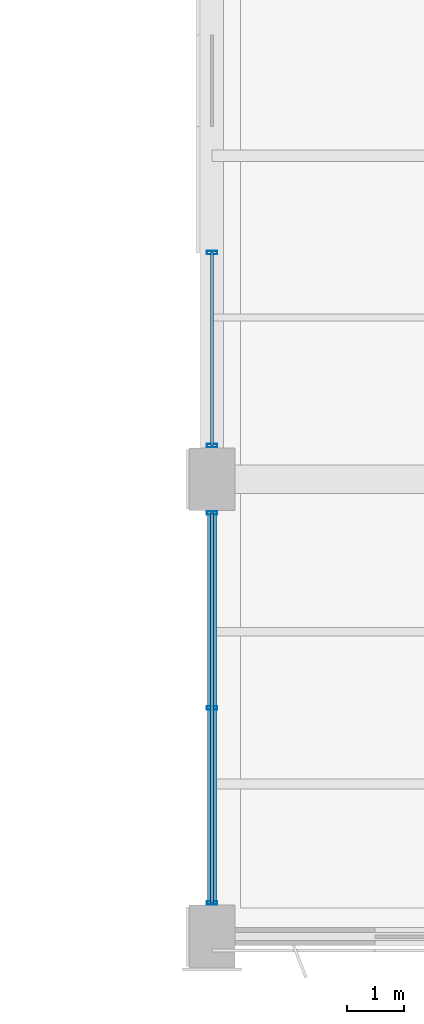
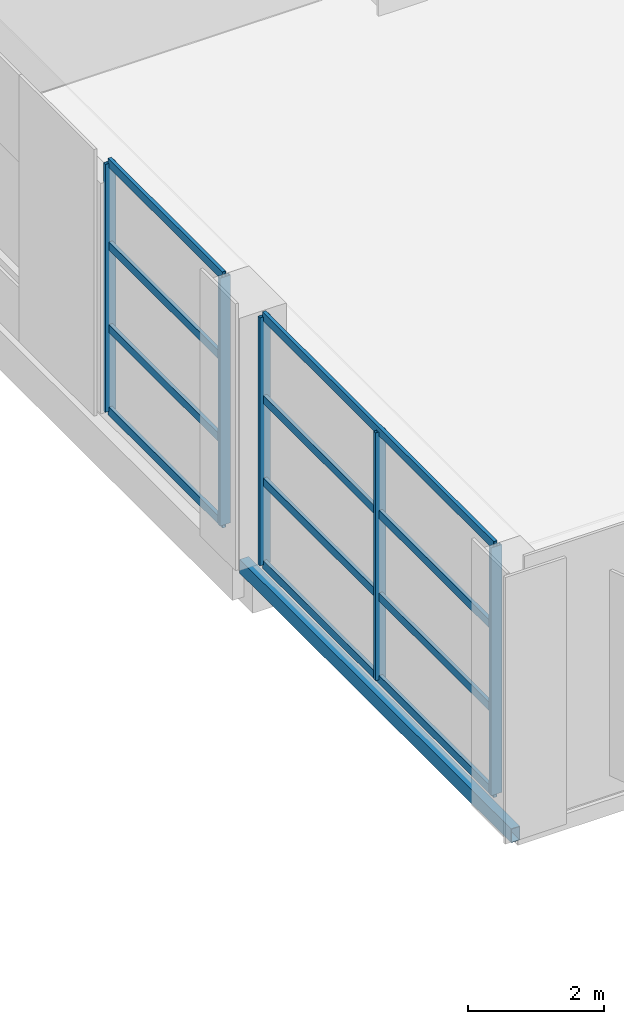
# One storey, part 29 of 112: 13 members, 1 beam, 2 elements without a shape of their own.
"""IFC4 building model written with IfcOpenShell, lengths in metres."""

from ifc_helpers import new_model, si_unit, direction, frame, origin, origin_2d, place, context, subcontext, project, spatial, hollow_rectangle, extrude, material, material_profile, profile_set, type_object, element, aggregate, save


model = new_model("IFC4")

# Units and contexts
model_context = context("Model", 3, precision=1e-05, world=origin(), true_north=direction((0.0, 1.0)))
body_context = subcontext(model_context, "Body", "Model", "MODEL_VIEW")
ifc_project = project(units=[si_unit("LENGTHUNIT", "METRE"), si_unit("AREAUNIT", "SQUARE_METRE"), si_unit("VOLUMEUNIT", "CUBIC_METRE"), si_unit("PLANEANGLEUNIT", "RADIAN"), si_unit("MASSUNIT", "GRAM", prefix="KILO")], contexts=[model_context])

# Site, building, storey
site_placement = place(None, origin())
site = spatial("IfcSite", under=ifc_project, at=site_placement, CompositionType="ELEMENT")
building_placement = place(site_placement, origin())
building = spatial("IfcBuilding", under=site, at=building_placement, Name="Solvikara Media Centre", CompositionType="ELEMENT")
storey_placement = place(building_placement, frame((0.0, 0.0, 5.39990234375)))
storey = spatial("IfcBuildingStorey", under=building, at=storey_placement, Name="L01", CompositionType="ELEMENT", Elevation=5.39990234375)

# Beam
ifc_material_1 = material(Name="Steel S355JR", Category="steel")
ifc_material_profile_1 = material_profile(ifc_material_1, hollow_rectangle(XDim=0.14990234375, YDim=0.25, WallThickness=0.008056640625, at=origin_2d()), Name="RHS 250x150x8")
ifc_profile_set_1 = profile_set([ifc_material_profile_1], Name="Steel S355JR")
beam_type = type_object("IfcBeamType", Name="BM-36", PredefinedType="JOIST", material=ifc_profile_set_1)
beam_placement = place(storey_placement, frame((127.5, 0.0, -0.366943359375), z_axis=(0.0, 1.0, 0.0), x_axis=(-1.0, 0.0, 0.0)))
element("IfcBeam", 1, at=beam_placement, inside=storey, type_object=beam_type, Name="B-L01-Y0600", PredefinedType="JOIST", context=body_context, shape_type="SweptSolid", body=[
    extrude(hollow_rectangle(XDim=0.14990234375, YDim=0.25, WallThickness=0.008056640625, at=origin_2d()), origin(), (0.0, 0.0, 1.0), 8.0),
])

# Curtain wall, members
ifc_material_2 = material(Name="Anodised aluminium EN AW-6063", Category="aluminium")
curtain_wall_type = type_object("IfcCurtainWallType", Name="CW-12", PredefinedType="NOTDEFINED", material=ifc_material_2)
curtain_wall_1_placement = place(storey_placement, origin())
curtain_wall_1 = element("IfcCurtainWall", 2, at=curtain_wall_1_placement, inside=storey, type_object=curtain_wall_type, Name="CW-L01-V5WS-S1", PredefinedType="NOTDEFINED")
ifc_material_profile_2 = material_profile(ifc_material_2, hollow_rectangle(XDim=0.06005859375, YDim=0.179931640625, WallThickness=0.00341796875, at=origin_2d()), Name="ALU-M 60x180x3.5")
ifc_profile_set_2 = profile_set([ifc_material_profile_2], Name="Anodised aluminium EN AW-6063")
member_type_1 = type_object("IfcMemberType", Name="MF-03", PredefinedType="MULLION", material=ifc_profile_set_2)
member_1_placement = place(storey_placement, frame((127.5, 0.590087890625, 0.02001953125), z_axis=(0.0, 0.0, 1.0), x_axis=(0.0, 1.0, 0.0)))
member_1 = element("IfcMember", 3, at=member_1_placement, type_object=member_type_1, Name="CW-L01-V5WS-S1-M00", PredefinedType="MULLION", context=body_context, shape_type="SweptSolid", body=[
    extrude(hollow_rectangle(XDim=0.06005859375, YDim=0.179931640625, WallThickness=0.00341796875, at=origin_2d()), origin(), (0.0, 0.0, 1.0), 4.4599609375),
])
member_2_placement = place(storey_placement, frame((127.5, 4.0, 0.02001953125), z_axis=(0.0, 0.0, 1.0), x_axis=(0.0, 1.0, 0.0)))
member_2 = element("IfcMember", 4, at=member_2_placement, type_object=member_type_1, Name="CW-L01-V5WS-S1-M01", PredefinedType="MULLION", context=body_context, shape_type="SweptSolid", body=[
    extrude(hollow_rectangle(XDim=0.06005859375, YDim=0.179931640625, WallThickness=0.00341796875, at=origin_2d()), origin(), (0.0, 0.0, 1.0), 4.4599609375),
])
member_3_placement = place(storey_placement, frame((127.5, 7.409912109375, 0.02001953125), z_axis=(0.0, 0.0, 1.0), x_axis=(0.0, 1.0, 0.0)))
member_3 = element("IfcMember", 5, at=member_3_placement, type_object=member_type_1, Name="CW-L01-V5WS-S1-M02", PredefinedType="MULLION", context=body_context, shape_type="SweptSolid", body=[
    extrude(hollow_rectangle(XDim=0.06005859375, YDim=0.179931640625, WallThickness=0.00341796875, at=origin_2d()), origin(), (0.0, 0.0, 1.0), 4.4599609375),
])

curtain_wall_2_placement = place(storey_placement, origin())
curtain_wall_2 = element("IfcCurtainWall", 6, at=curtain_wall_2_placement, inside=storey, type_object=curtain_wall_type, Name="CW-L01-V5WS-S2", PredefinedType="NOTDEFINED")
member_4_placement = place(storey_placement, frame((127.5, 8.590087890625, 0.02001953125), z_axis=(0.0, 0.0, 1.0), x_axis=(0.0, 1.0, 0.0)))
member_4 = element("IfcMember", 7, at=member_4_placement, type_object=member_type_1, Name="CW-L01-V5WS-S2-M00", PredefinedType="MULLION", context=body_context, shape_type="SweptSolid", body=[
    extrude(hollow_rectangle(XDim=0.06005859375, YDim=0.179931640625, WallThickness=0.00341796875, at=origin_2d()), origin(), (0.0, 0.0, 1.0), 4.4599609375),
])
member_5_placement = place(storey_placement, frame((127.5, 11.965087890625, 0.02001953125), z_axis=(0.0, 0.0, 1.0), x_axis=(0.0, 1.0, 0.0)))
member_5 = element("IfcMember", 8, at=member_5_placement, type_object=member_type_1, Name="CW-L01-V5WS-S2-M01", PredefinedType="MULLION", context=body_context, shape_type="SweptSolid", body=[
    extrude(hollow_rectangle(XDim=0.06005859375, YDim=0.179931640625, WallThickness=0.00341796875, at=origin_2d()), origin(), (0.0, 0.0, 1.0), 4.4599609375),
])

# Member
ifc_material_profile_3 = material_profile(ifc_material_2, hollow_rectangle(XDim=0.06005859375, YDim=0.14990234375, WallThickness=0.0029296875, at=origin_2d()), Name="ALU-T 60x150x3")
ifc_profile_set_3 = profile_set([ifc_material_profile_3], Name="Anodised aluminium EN AW-6063")
member_type_2 = type_object("IfcMemberType", Name="MF-09", PredefinedType="USERDEFINED", material=ifc_profile_set_3)
member_6_placement = place(storey_placement, frame((127.5, 0.590087890625, 0.02001953125), z_axis=(0.0, 1.0, 0.0), x_axis=(-1.0, 0.0, 0.0)))
member_6 = element("IfcMember", 9, at=member_6_placement, type_object=member_type_2, Name="CW-L01-V5WS-S1-T00", ObjectType="TRANSOM", PredefinedType="USERDEFINED", context=body_context, shape_type="SweptSolid", body=[
    extrude(hollow_rectangle(XDim=0.06005859375, YDim=0.14990234375, WallThickness=0.0029296875, at=origin_2d()), origin(), (0.0, 0.0, 1.0), 6.81982421875),
])

member_7_placement = place(storey_placement, frame((127.5, 0.590087890625, 1.507080078125), z_axis=(0.0, 1.0, 0.0), x_axis=(-1.0, 0.0, 0.0)))
member_7 = element("IfcMember", 10, at=member_7_placement, type_object=member_type_2, Name="CW-L01-V5WS-S1-T01", ObjectType="TRANSOM", PredefinedType="USERDEFINED", context=body_context, shape_type="SweptSolid", body=[
    extrude(hollow_rectangle(XDim=0.06005859375, YDim=0.14990234375, WallThickness=0.0029296875, at=origin_2d()), origin(), (0.0, 0.0, 1.0), 6.81982421875),
])

member_8_placement = place(storey_placement, frame((127.5, 0.590087890625, 2.9931640625), z_axis=(0.0, 1.0, 0.0), x_axis=(-1.0, 0.0, 0.0)))
member_8 = element("IfcMember", 11, at=member_8_placement, type_object=member_type_2, Name="CW-L01-V5WS-S1-T02", ObjectType="TRANSOM", PredefinedType="USERDEFINED", context=body_context, shape_type="SweptSolid", body=[
    extrude(hollow_rectangle(XDim=0.06005859375, YDim=0.14990234375, WallThickness=0.0029296875, at=origin_2d()), origin(), (0.0, 0.0, 1.0), 6.81982421875),
])

member_9_placement = place(storey_placement, frame((127.5, 0.590087890625, 4.47998046875), z_axis=(0.0, 1.0, 0.0), x_axis=(-1.0, 0.0, 0.0)))
member_9 = element("IfcMember", 12, at=member_9_placement, type_object=member_type_2, Name="CW-L01-V5WS-S1-T03", ObjectType="TRANSOM", PredefinedType="USERDEFINED", context=body_context, shape_type="SweptSolid", body=[
    extrude(hollow_rectangle(XDim=0.06005859375, YDim=0.14990234375, WallThickness=0.0029296875, at=origin_2d()), origin(), (0.0, 0.0, 1.0), 6.81982421875),
])

aggregate(curtain_wall_1, [member_1, member_2, member_3, member_6, member_7, member_8, member_9])

member_10_placement = place(storey_placement, frame((127.5, 8.590087890625, 0.02001953125), z_axis=(0.0, 1.0, 0.0), x_axis=(-1.0, 0.0, 0.0)))
member_10 = element("IfcMember", 13, at=member_10_placement, type_object=member_type_2, Name="CW-L01-V5WS-S2-T00", ObjectType="TRANSOM", PredefinedType="USERDEFINED", context=body_context, shape_type="SweptSolid", body=[
    extrude(hollow_rectangle(XDim=0.06005859375, YDim=0.14990234375, WallThickness=0.0029296875, at=origin_2d()), origin(), (0.0, 0.0, 1.0), 3.375),
])

member_11_placement = place(storey_placement, frame((127.5, 8.590087890625, 1.507080078125), z_axis=(0.0, 1.0, 0.0), x_axis=(-1.0, 0.0, 0.0)))
member_11 = element("IfcMember", 14, at=member_11_placement, type_object=member_type_2, Name="CW-L01-V5WS-S2-T01", ObjectType="TRANSOM", PredefinedType="USERDEFINED", context=body_context, shape_type="SweptSolid", body=[
    extrude(hollow_rectangle(XDim=0.06005859375, YDim=0.14990234375, WallThickness=0.0029296875, at=origin_2d()), origin(), (0.0, 0.0, 1.0), 3.375),
])

member_12_placement = place(storey_placement, frame((127.5, 8.590087890625, 2.9931640625), z_axis=(0.0, 1.0, 0.0), x_axis=(-1.0, 0.0, 0.0)))
member_12 = element("IfcMember", 15, at=member_12_placement, type_object=member_type_2, Name="CW-L01-V5WS-S2-T02", ObjectType="TRANSOM", PredefinedType="USERDEFINED", context=body_context, shape_type="SweptSolid", body=[
    extrude(hollow_rectangle(XDim=0.06005859375, YDim=0.14990234375, WallThickness=0.0029296875, at=origin_2d()), origin(), (0.0, 0.0, 1.0), 3.375),
])

member_13_placement = place(storey_placement, frame((127.5, 8.590087890625, 4.47998046875), z_axis=(0.0, 1.0, 0.0), x_axis=(-1.0, 0.0, 0.0)))
member_13 = element("IfcMember", 16, at=member_13_placement, type_object=member_type_2, Name="CW-L01-V5WS-S2-T03", ObjectType="TRANSOM", PredefinedType="USERDEFINED", context=body_context, shape_type="SweptSolid", body=[
    extrude(hollow_rectangle(XDim=0.06005859375, YDim=0.14990234375, WallThickness=0.0029296875, at=origin_2d()), origin(), (0.0, 0.0, 1.0), 3.375),
])

aggregate(curtain_wall_2, [member_4, member_5, member_10, member_11, member_12, member_13])

save(model, "model.ifc")
